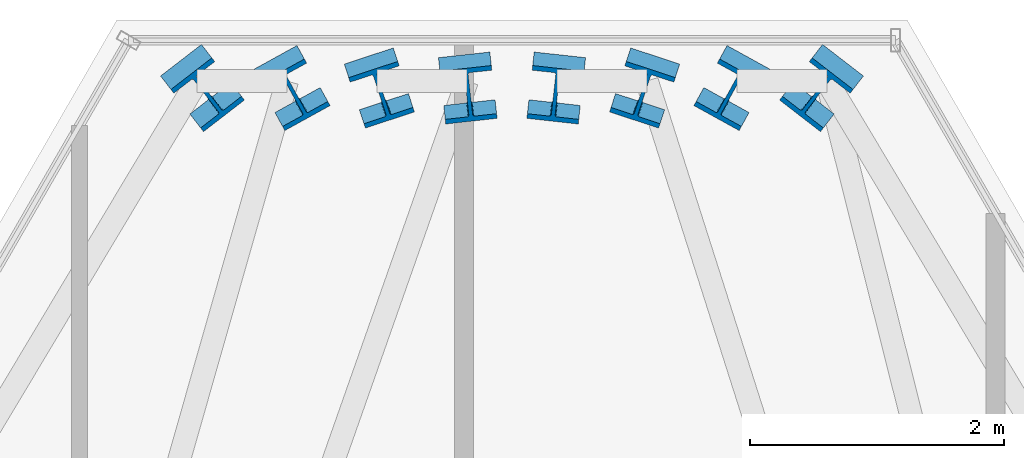
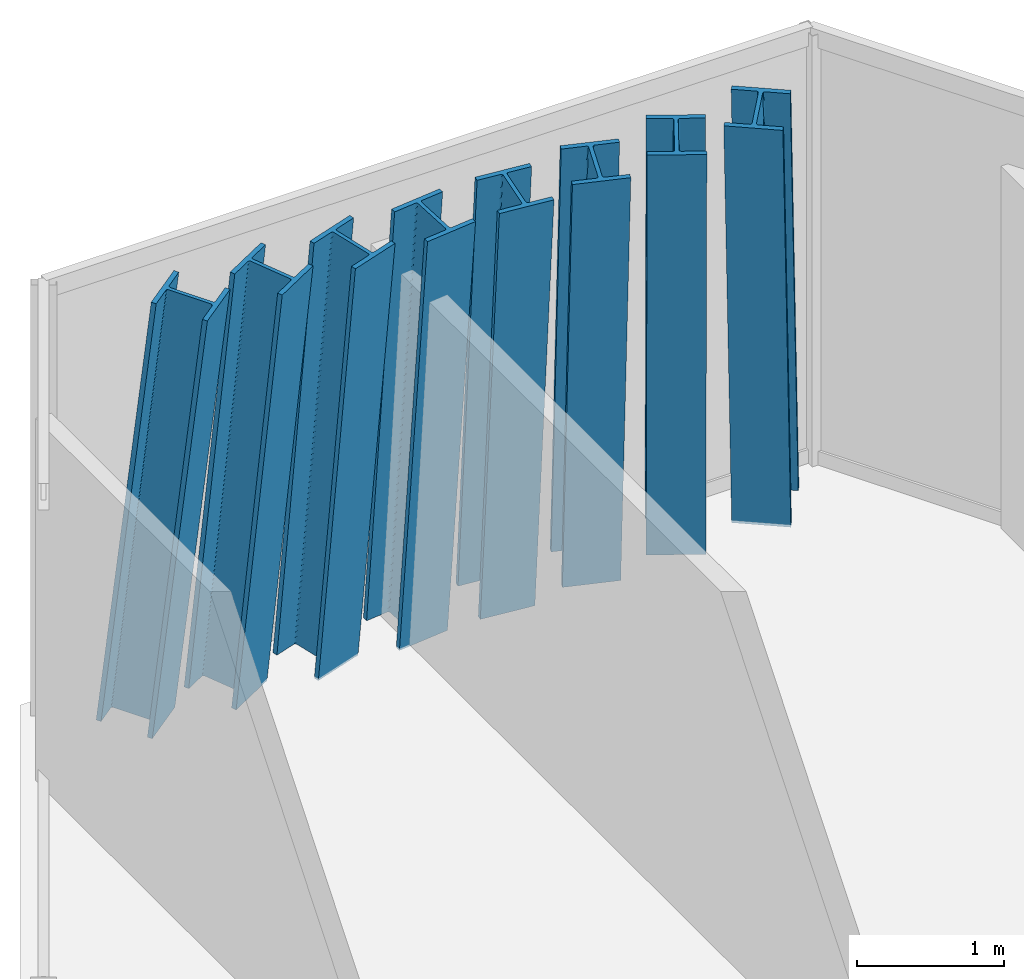
# One storey, part 2 of 32: 8 columns.
"""IFC4 building model written with IfcOpenShell, lengths in metres."""

from ifc_helpers import new_model, si_unit, direction, frame, origin, origin_2d, place, context, subcontext, project, spatial, i_section, extrude, material, material_profile, profile_set, type_object, element, save


model = new_model("IFC4")

# Units and contexts
model_context = context("Model", 3, precision=1e-05, world=origin(), true_north=direction((0.0, 1.0)))
body_context = subcontext(model_context, "Body", "Model", "MODEL_VIEW")
ifc_project = project(units=[si_unit("LENGTHUNIT", "METRE"), si_unit("AREAUNIT", "SQUARE_METRE"), si_unit("VOLUMEUNIT", "CUBIC_METRE"), si_unit("PLANEANGLEUNIT", "RADIAN"), si_unit("MASSUNIT", "GRAM", prefix="KILO")], contexts=[model_context])

# Site, building, storey
site_placement = place(None, origin())
site = spatial("IfcSite", under=ifc_project, at=site_placement, CompositionType="ELEMENT")
building_placement = place(site_placement, origin())
building = spatial("IfcBuilding", under=site, at=building_placement, Name="Ndaravel Arena Tower", CompositionType="ELEMENT")
storey_placement = place(building_placement, frame((0.0, 0.0, 259.800048828125)))
storey = spatial("IfcBuildingStorey", under=building, at=storey_placement, Name="L63", CompositionType="ELEMENT", Elevation=259.800048828125)

# Columns
ifc_material = material(Name="Steel S355", Category="steel")
ifc_material_profile = material_profile(ifc_material, i_section(OverallWidth=0.406005859375, OverallDepth=0.416015625, WebThickness=0.02978515625, FlangeThickness=0.03662109375, FilletRadius=0.014892578125, at=origin_2d()), Name="HD 400x382")
ifc_profile_set = profile_set([ifc_material_profile], Name="Steel S355")
column_type = type_object("IfcColumnType", Name="COL-TUBE-HD382", PredefinedType="COLUMN", material=ifc_profile_set)
column_1_placement = place(storey_placement, frame((44.475341796875, 44.359619140625, 0.0), z_axis=(-0.068848898232, -0.089178297316, 0.993633262577), x_axis=(0.791549485755, -0.611105074109, 0.0)))
element("IfcColumn", 1, at=column_1_placement, inside=storey, type_object=column_type, Name="L63 Framed Tube Column TC-11", PredefinedType="COLUMN", context=body_context, shape_type="SweptSolid", body=[
    extrude(i_section(OverallWidth=0.406005859375, OverallDepth=0.416015625, WebThickness=0.02978515625, FlangeThickness=0.03662109375, FilletRadius=0.014892578125, at=origin_2d()), origin(), (0.0, 0.0, 1.0), 3.602783203125),
])
column_2_placement = place(storey_placement, frame((43.76806640625, 44.359619140625, 0.0), z_axis=(-0.049254309315, -0.089281916059, 0.994787792687), x_axis=(0.875597091811, -0.483042164631, 0.0)))
element("IfcColumn", 2, at=column_2_placement, inside=storey, type_object=column_type, Name="L63 Framed Tube Column TC-12", PredefinedType="COLUMN", context=body_context, shape_type="SweptSolid", body=[
    extrude(i_section(OverallWidth=0.406005859375, OverallDepth=0.416015625, WebThickness=0.02978515625, FlangeThickness=0.03662109375, FilletRadius=0.014892578125, at=origin_2d()), origin(), (0.0, 0.0, 1.0), 3.5986328125),
])
column_3_placement = place(storey_placement, frame((43.060791015625, 44.359619140625, 0.0), z_axis=(-0.029534852361, -0.08935141542, 0.995562161323), x_axis=(0.949473943623, -0.313845870422, 0.0)))
element("IfcColumn", 3, at=column_3_placement, inside=storey, type_object=column_type, Name="L63 Framed Tube Column TC-13", PredefinedType="COLUMN", context=body_context, shape_type="SweptSolid", body=[
    extrude(i_section(OverallWidth=0.406005859375, OverallDepth=0.416015625, WebThickness=0.02978515625, FlangeThickness=0.03662109375, FilletRadius=0.014892578125, at=origin_2d()), origin(), (0.0, 0.0, 1.0), 3.595703125),
])
for number, where, z_axis, x_axis, name in (
    (4, (42.353515625, 44.359619140625, 0.0), (-0.009848769819, -0.089386076427, 0.995948357634), (0.993984638073, -0.109519583982, 0.0), "L63 Framed Tube Column TC-14"),
    (5, (41.646484375, 44.359619140625, 0.0), (0.009848769819, -0.089386076427, 0.995948357634), (0.993984638073, 0.109519583982, 0.0), "L63 Framed Tube Column TC-15"),
):
    element("IfcColumn", number, at=place(storey_placement, frame(where, z_axis=z_axis, x_axis=x_axis)), inside=storey, type_object=column_type, Name=name, PredefinedType="COLUMN", context=body_context, shape_type="SweptSolid", body=[
        extrude(i_section(OverallWidth=0.406005859375, OverallDepth=0.416015625, WebThickness=0.02978515625, FlangeThickness=0.03662109375, FilletRadius=0.014892578125, at=origin_2d()), origin(), (0.0, 0.0, 1.0), 3.594482421875),
    ])
column_4_placement = place(storey_placement, frame((40.939208984375, 44.359619140625, 0.0), z_axis=(0.029534852361, -0.08935141542, 0.995562161323), x_axis=(0.949473943623, 0.313845870422, 0.0)))
element("IfcColumn", 6, at=column_4_placement, inside=storey, type_object=column_type, Name="L63 Framed Tube Column TC-16", PredefinedType="COLUMN", context=body_context, shape_type="SweptSolid", body=[
    extrude(i_section(OverallWidth=0.406005859375, OverallDepth=0.416015625, WebThickness=0.02978515625, FlangeThickness=0.03662109375, FilletRadius=0.014892578125, at=origin_2d()), origin(), (0.0, 0.0, 1.0), 3.595703125),
])
column_5_placement = place(storey_placement, frame((40.23193359375, 44.359619140625, 0.0), z_axis=(0.049254309315, -0.089281916059, 0.994787792687), x_axis=(0.875597091811, 0.483042164631, 0.0)))
element("IfcColumn", 7, at=column_5_placement, inside=storey, type_object=column_type, Name="L63 Framed Tube Column TC-17", PredefinedType="COLUMN", context=body_context, shape_type="SweptSolid", body=[
    extrude(i_section(OverallWidth=0.406005859375, OverallDepth=0.416015625, WebThickness=0.02978515625, FlangeThickness=0.03662109375, FilletRadius=0.014892578125, at=origin_2d()), origin(), (0.0, 0.0, 1.0), 3.5986328125),
])
column_6_placement = place(storey_placement, frame((39.524658203125, 44.359619140625, 0.0), z_axis=(0.068848898232, -0.089178297316, 0.993633262577), x_axis=(0.791549485755, 0.611105074109, 0.0)))
element("IfcColumn", 8, at=column_6_placement, inside=storey, type_object=column_type, Name="L63 Framed Tube Column TC-18", PredefinedType="COLUMN", context=body_context, shape_type="SweptSolid", body=[
    extrude(i_section(OverallWidth=0.406005859375, OverallDepth=0.416015625, WebThickness=0.02978515625, FlangeThickness=0.03662109375, FilletRadius=0.014892578125, at=origin_2d()), origin(), (0.0, 0.0, 1.0), 3.602783203125),
])

save(model, "model.ifc")
